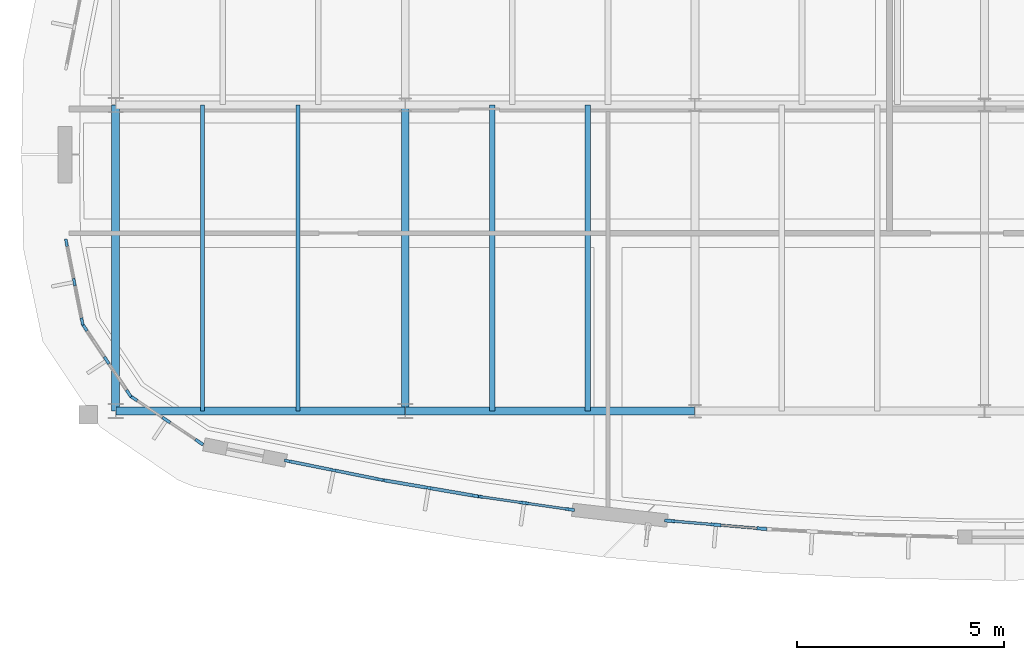
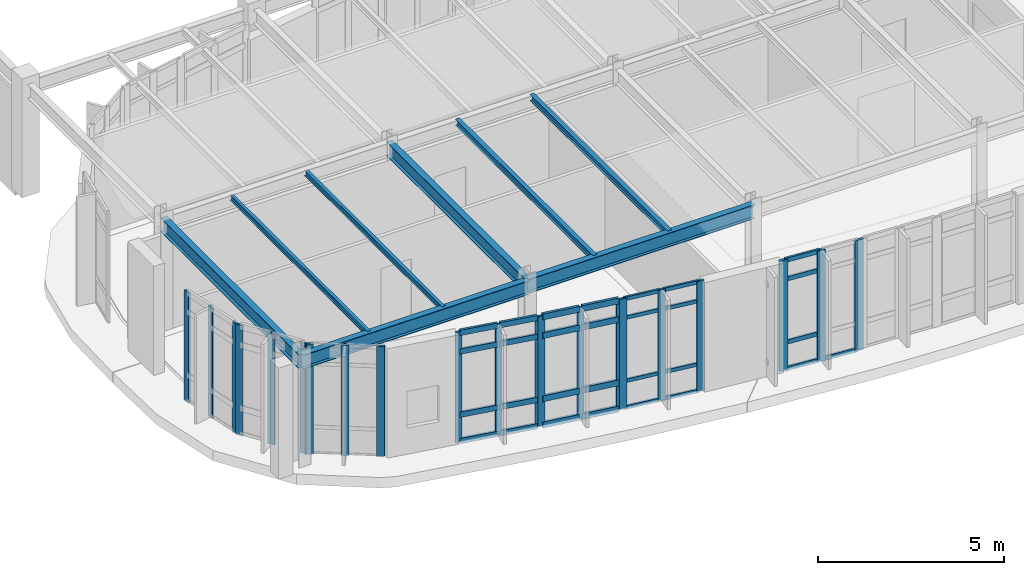
# One storey, part 34 of 111: 50 members, 8 beams, 7 elements without a shape of their own.
"""IFC4 building model written with IfcOpenShell, lengths in metres."""

import ifcopenshell
import ifcopenshell.guid

model = None  # the IFC model being written
_history = None  # IfcOwnerHistory: only IFC2X3 demands one
_inside = {}  # id of a spatial element -> (the spatial element, [elements in it])
_under = {}  # id of a project, library or spatial element -> (it, [spatial elements below it])
_declared = {}  # id of a project -> (the project, [libraries it declares])
_typed = {}  # id of a type object -> (the type object, [elements of that type])
_made_of = {}  # id of a material, layer set ... -> (it, [elements and type objects made of it])


def new_model(schema):
    """Start an empty IFC model of exactly this schema.

    Asked for "IFC4X3", IfcOpenShell would pick the latest addendum, in which some entities
    have other attributes; the version numbers below select the first issue.
    IFC2X3 requires an IfcOwnerHistory on every rooted entity: one is made here for all.
    """
    global model, _history
    if schema == "IFC4X3":
        model = ifcopenshell.file(schema_version=(4, 3, 0, 0))
    else:
        model = ifcopenshell.file(schema=schema)
    _inside.clear()
    _under.clear()
    _declared.clear()
    _typed.clear()
    _made_of.clear()
    _history = None
    if model.schema == "IFC2X3":
        org = make("IfcOrganization", Name="unknown")
        user = make(
            "IfcPersonAndOrganization",
            ThePerson=make("IfcPerson", FamilyName="unknown"),
            TheOrganization=org,
        )
        app = make(
            "IfcApplication",
            ApplicationDeveloper=org,
            Version="unknown",
            ApplicationFullName="unknown",
            ApplicationIdentifier="unknown",
        )
        _history = make(
            "IfcOwnerHistory",
            OwningUser=user,
            OwningApplication=app,
            ChangeAction="ADDED",
            CreationDate=0,
        )
    return model


def make(cls, **values):
    """One entity of the class cls with the attributes given. An attribute that is None is left unset."""
    return model.create_entity(
        cls, **{name: value for name, value in values.items() if value is not None}
    )


def rooted(cls, **values):
    """An entity with a GlobalId (a new one), such as an element, a storey or a relation."""
    return make(cls, GlobalId=ifcopenshell.guid.new(), OwnerHistory=_history, **values)


def si_unit(unit_type, name, prefix=None):
    """IfcSIUnit, for example si_unit("LENGTHUNIT", "METRE", prefix="MILLI")."""
    return make("IfcSIUnit", UnitType=unit_type, Prefix=prefix, Name=name)


def assignment(units):
    """IfcUnitAssignment: the units of a project."""
    return None if units is None else make("IfcUnitAssignment", Units=units)


def point(xyz):
    """IfcCartesianPoint."""
    return None if xyz is None else make("IfcCartesianPoint", Coordinates=xyz)


def direction(xyz):
    """IfcDirection."""
    return None if xyz is None else make("IfcDirection", DirectionRatios=xyz)


def frame(location, z_axis=None, x_axis=None):
    """IfcAxis2Placement3D, a coordinate frame: its origin and axes. An axis left out is left unset."""
    return make(
        "IfcAxis2Placement3D",
        Location=point(location),
        Axis=direction(z_axis),
        RefDirection=direction(x_axis),
    )


def frame_2d(location, x_axis=None):
    """IfcAxis2Placement2D, a coordinate frame in the plane: its origin and x axis."""
    return make(
        "IfcAxis2Placement2D", Location=point(location), RefDirection=direction(x_axis)
    )


def origin():
    """The frame at (0, 0, 0) with its axes left unset."""
    return frame((0.0, 0.0, 0.0))


def origin_2d():
    """The frame at (0, 0) in the plane with its x axis left unset."""
    return frame_2d((0.0, 0.0))


def place(relative_to, where):
    """IfcLocalPlacement: puts the frame where relative to a parent placement (None: the world)."""
    return make(
        "IfcLocalPlacement", PlacementRelTo=relative_to, RelativePlacement=where
    )


def context(
    kind, dimensions, precision=None, world=None, true_north=None, identifier=None
):
    """IfcGeometricRepresentationContext, for example the 3D "Model" context."""
    return make(
        "IfcGeometricRepresentationContext",
        ContextIdentifier=identifier,
        ContextType=kind,
        CoordinateSpaceDimension=dimensions,
        Precision=precision,
        WorldCoordinateSystem=world,
        TrueNorth=true_north,
    )


def subcontext(parent, identifier, kind, view, scale=None):
    """IfcGeometricRepresentationSubContext, for example "Body" below "Model"."""
    return make(
        "IfcGeometricRepresentationSubContext",
        ContextIdentifier=identifier,
        ContextType=kind,
        ParentContext=parent,
        TargetScale=scale,
        TargetView=view,
    )


def project(units=None, contexts=None):
    """IfcProject with its units and contexts."""
    return rooted(
        "IfcProject",
        Name="project",
        RepresentationContexts=contexts,
        UnitsInContext=assignment(units),
    )


def spatial(cls, under=None, at=None, **own):
    """A site, building, storey or space (cls), placed at a placement, below another one or the project."""
    s = rooted(cls, ObjectPlacement=at, **own)
    if under is not None:
        _under.setdefault(under.id(), (under, []))[1].append(s)
    return s


def profile(cls, at=None, kind="AREA", **sizes):
    """A parametric profile (cls). Its sizes go by their IFC names, for example OverallWidth=200.0."""
    return make(cls, ProfileType=kind, Position=at, **sizes)


def rectangle(**sizes):
    """IfcRectangleProfileDef."""
    return profile("IfcRectangleProfileDef", **sizes)


def i_section(**sizes):
    """IfcIShapeProfileDef."""
    return profile("IfcIShapeProfileDef", **sizes)


def extrude(swept, where, along, depth):
    """IfcExtrudedAreaSolid: the profile swept, set in the frame where, extruded along a direction by depth."""
    return make(
        "IfcExtrudedAreaSolid",
        SweptArea=swept,
        Position=where,
        ExtrudedDirection=direction(along),
        Depth=depth,
    )


def shape(context_of_items, identifier, shape_type, items):
    """IfcShapeRepresentation: the items that make up one representation, for example the "Body"."""
    return make(
        "IfcShapeRepresentation",
        ContextOfItems=context_of_items,
        RepresentationIdentifier=identifier,
        RepresentationType=shape_type,
        Items=items,
    )


def material(Name=None, Category=None):
    """IfcMaterial."""
    return make("IfcMaterial", Name=Name, Category=Category)


def material_profile(
    of_material, cross_section, Name=None, Category=None, Priority=None
):
    """IfcMaterialProfile: a cross section and its material."""
    return make(
        "IfcMaterialProfile",
        Name=Name,
        Material=of_material,
        Profile=cross_section,
        Priority=Priority,
        Category=Category,
    )


def profile_set(profiles, Name=None, composite=None):
    """IfcMaterialProfileSet."""
    return make(
        "IfcMaterialProfileSet",
        Name=Name,
        MaterialProfiles=profiles,
        CompositeProfile=composite,
    )


def made_of(thing, what):
    """Note that an element or type object is made of a material, layer set ...; save() writes the relation."""
    if what is not None:
        _made_of.setdefault(what.id(), (what, []))[1].append(thing)
    return thing


def type_object(cls, material=None, **own):
    """A type object (cls), such as IfcWallType, which elements share."""
    return made_of(rooted(cls, **own), material)


def element(
    cls,
    number,
    at=None,
    inside=None,
    cuts=None,
    type_object=None,
    material=None,
    context=None,
    identifier="Body",
    shape_type=None,
    held_by="IfcProductDefinitionShape",
    body=None,
    shapes=None,
    **own,
):
    """One element of the class cls, such as IfcWall. Its Tag is "e" and its number.

    at: its placement. inside: the storey or other place that contains it. cuts: it is an
    opening in that element (IfcRelVoidsElement). A single representation is given by context,
    identifier, shape_type and body (its items); several are given by shapes. held_by: the class
    of the entity that holds the representations. save() writes the other relations.
    """
    e = rooted(cls, Tag="e%d" % number, ObjectPlacement=at, **own)
    if body is not None:
        shapes = [shape(context, identifier, shape_type, body)]
    if shapes is not None:
        e.Representation = make(held_by, Representations=shapes)
    if inside is not None:
        _inside.setdefault(inside.id(), (inside, []))[1].append(e)
    if cuts is not None:
        rooted(
            "IfcRelVoidsElement", RelatingBuildingElement=cuts, RelatedOpeningElement=e
        )
    if type_object is not None:
        _typed.setdefault(type_object.id(), (type_object, []))[1].append(e)
    return made_of(e, material)


def aggregate(whole, parts):
    """IfcRelAggregates: a whole, such as a stair, and the parts it consists of."""
    return rooted("IfcRelAggregates", RelatingObject=whole, RelatedObjects=parts)


def save(model, path):
    """Write the relations noted so far, then the file.

    IfcRelAggregates (storeys below a building ...), IfcRelContainedInSpatialStructure (elements
    in a storey), IfcRelDefinesByType, IfcRelAssociatesMaterial and IfcRelDeclares: one each for
    every whole, place, type object, material and project.
    """
    for whole, parts in _under.values():
        aggregate(whole, parts)
    for where, things in _inside.values():
        rooted(
            "IfcRelContainedInSpatialStructure",
            RelatedElements=things,
            RelatingStructure=where,
        )
    for kind, things in _typed.values():
        rooted("IfcRelDefinesByType", RelatedObjects=things, RelatingType=kind)
    for what, things in _made_of.values():
        rooted("IfcRelAssociatesMaterial", RelatedObjects=things, RelatingMaterial=what)
    for by, libraries in _declared.values():
        rooted("IfcRelDeclares", RelatingContext=by, RelatedDefinitions=libraries)
    model.write(path)


model = new_model("IFC4")

# Units and contexts
model_context = context("Model", 3, precision=1e-05, world=origin(), true_north=direction((0.0, 1.0)))
body_context = subcontext(model_context, "Body", "Model", "MODEL_VIEW")
ifc_project = project(units=[si_unit("LENGTHUNIT", "METRE"), si_unit("AREAUNIT", "SQUARE_METRE"), si_unit("VOLUMEUNIT", "CUBIC_METRE"), si_unit("PLANEANGLEUNIT", "RADIAN"), si_unit("MASSUNIT", "GRAM", prefix="KILO")], contexts=[model_context])

# Site, building, storey
site_placement = place(None, origin())
site = spatial("IfcSite", under=ifc_project, at=site_placement, CompositionType="ELEMENT")
building_placement = place(site_placement, origin())
building = spatial("IfcBuilding", under=site, at=building_placement, Name="Corveleigh Park Community Centre", CompositionType="ELEMENT")
storey_placement = place(building_placement, frame((0.0, 0.0, 4.800048828125)))
storey = spatial("IfcBuildingStorey", under=building, at=storey_placement, Name="L01", CompositionType="ELEMENT", Elevation=4.800048828125)

# Beams
ifc_material_1 = material(Name="Steel S355", Category="steel")
ifc_material_profile_1 = material_profile(ifc_material_1, i_section(OverallWidth=0.101318359375, OverallDepth=0.177734375, WebThickness=0.0048828125, FlangeThickness=0.0078125, at=origin_2d()), Name="UKB 178x102x19", Category="steel")
ifc_profile_set_1 = profile_set([ifc_material_profile_1], Name="Steel S355")
beam_type_1 = type_object("IfcBeamType", Name="BM-STL-UKB178x19", PredefinedType="JOIST", material=ifc_profile_set_1)
for number, where, z_axis, x_axis, name in (
    (1, (13.300048828125, 78.0048828125, 3.531005859375), (0.0, 1.0, 0.0), (-1.0, 0.0, 0.0), "Secondary floor joist"),
    (2, (15.610107421875, 78.0048828125, 3.531005859375), (0.0, 1.0, 0.0), (-1.0, 0.0, 0.0), "Secondary floor joist"),
):
    element("IfcBeam", number, at=place(storey_placement, frame(where, z_axis=z_axis, x_axis=x_axis)), inside=storey, type_object=beam_type_1, Name=name, PredefinedType="JOIST", context=body_context, shape_type="SweptSolid", body=[
        extrude(i_section(OverallWidth=0.101318359375, OverallDepth=0.177734375, WebThickness=0.0048828125, FlangeThickness=0.0078125, at=origin_2d()), origin(), (0.0, 0.0, 1.0), 7.39013671875),
    ])
ifc_material_profile_2 = material_profile(ifc_material_1, i_section(OverallWidth=0.13330078125, OverallDepth=0.203125, WebThickness=0.005615234375, FlangeThickness=0.0078125, at=origin_2d()), Name="UKB 203x133x25", Category="steel")
ifc_profile_set_2 = profile_set([ifc_material_profile_2], Name="Steel S355")
beam_type_2 = type_object("IfcBeamType", Name="BM-STL-UKB203x25", PredefinedType="JOIST", material=ifc_profile_set_2)
for number, where, z_axis, x_axis, name in (
    (3, (20.300048828125, 78.0048828125, 3.555419921875), (0.0, 1.0, 0.0), (-1.0, 0.0, 0.0), "Secondary floor joist"),
    (4, (22.610107421875, 78.0048828125, 3.555419921875), (0.0, 1.0, 0.0), (-1.0, 0.0, 0.0), "Secondary floor joist"),
):
    element("IfcBeam", number, at=place(storey_placement, frame(where, z_axis=z_axis, x_axis=x_axis)), inside=storey, type_object=beam_type_2, Name=name, PredefinedType="JOIST", context=body_context, shape_type="SweptSolid", body=[
        extrude(i_section(OverallWidth=0.13330078125, OverallDepth=0.203125, WebThickness=0.005615234375, FlangeThickness=0.0078125, at=origin_2d()), origin(), (0.0, 0.0, 1.0), 7.39013671875),
    ])
ifc_material_profile_3 = material_profile(ifc_material_1, i_section(OverallWidth=0.1904296875, OverallDepth=0.45703125, WebThickness=0.009033203125, FlangeThickness=0.014404296875, at=origin_2d()), Name="UKB 457x191x74", Category="steel")
ifc_profile_set_3 = profile_set([ifc_material_profile_3], Name="Steel S355")
beam_type_3 = type_object("IfcBeamType", Name="BM-STL-UKB457x74", PredefinedType="BEAM", material=ifc_profile_set_3)
for number, where, z_axis, x_axis, name in (
    (5, (11.199951171875, 78.0048828125, 3.391357421875), (0.0, 1.0, 0.0), (-1.0, 0.0, 0.0), "V2 Studio Girder Y"),
    (6, (18.199951171875, 78.0048828125, 3.428466796875), (0.0, 1.0, 0.0), (-1.0, 0.0, 0.0), "V2 Studio Girder Y"),
):
    element("IfcBeam", number, at=place(storey_placement, frame(where, z_axis=z_axis, x_axis=x_axis)), inside=storey, type_object=beam_type_3, Name=name, PredefinedType="BEAM", context=body_context, shape_type="SweptSolid", body=[
        extrude(i_section(OverallWidth=0.1904296875, OverallDepth=0.45703125, WebThickness=0.009033203125, FlangeThickness=0.014404296875, at=origin_2d()), origin(), (0.0, 0.0, 1.0), 7.39013671875),
    ])
ifc_material_profile_4 = material_profile(ifc_material_1, i_section(OverallWidth=0.19140625, OverallDepth=0.4599609375, WebThickness=0.010009765625, FlangeThickness=0.01611328125, at=origin_2d()), Name="UKB 457x191x82", Category="steel")
ifc_profile_set_4 = profile_set([ifc_material_profile_4], Name="Steel S355")
beam_type_4 = type_object("IfcBeamType", Name="BM-STL-UKB457x82", PredefinedType="BEAM", material=ifc_profile_set_4)
for number, where, z_axis, x_axis, name in (
    (7, (11.205078125, 78.0, 3.389892578125), (1.0, 0.0, 0.0), (0.0, 1.0, 0.0), "V2 Studio Girder X"),
    (8, (18.205078125, 78.0, 3.427001953125), (1.0, 0.0, 0.0), (0.0, 1.0, 0.0), "V2 Studio Girder X"),
):
    element("IfcBeam", number, at=place(storey_placement, frame(where, z_axis=z_axis, x_axis=x_axis)), inside=storey, type_object=beam_type_4, Name=name, PredefinedType="BEAM", context=body_context, shape_type="SweptSolid", body=[
        extrude(i_section(OverallWidth=0.19140625, OverallDepth=0.4599609375, WebThickness=0.010009765625, FlangeThickness=0.01611328125, at=origin_2d()), origin(), (0.0, 0.0, 1.0), 6.989990234375),
    ])

# Curtain wall, members
ifc_material_2 = material(Name="Anodised aluminium 6063-T6", Category="aluminium")
curtain_wall_type = type_object("IfcCurtainWallType", Name="CW-SYS-V2-HALL", PredefinedType="NOTDEFINED", material=ifc_material_2)
curtain_wall_1_placement = place(storey_placement, origin())
curtain_wall_1 = element("IfcCurtainWall", 9, at=curtain_wall_1_placement, inside=storey, type_object=curtain_wall_type, Name="V2 L01 Curtain Wall 194", PredefinedType="NOTDEFINED")
ifc_material_profile_5 = material_profile(ifc_material_2, rectangle(XDim=0.06494140625, YDim=0.179931640625, at=origin_2d()), Name="ALU-M65x180", Category="aluminium")
ifc_profile_set_5 = profile_set([ifc_material_profile_5], Name="Anodised aluminium 6063-T6")
member_type_1 = type_object("IfcMemberType", Name="CWM-65x180", PredefinedType="MULLION", material=ifc_profile_set_5)
member_1_placement = place(storey_placement, frame((17.5751953125, 76.348388671875, 0.0), z_axis=(0.0, 0.0, 1.0), x_axis=(-0.197111378544, -0.980381101638, 0.0)))
member_1 = element("IfcMember", 10, at=member_1_placement, type_object=member_type_1, Name="CW04 mullion 1", PredefinedType="MULLION", context=body_context, shape_type="SweptSolid", body=[
    extrude(rectangle(XDim=0.06494140625, YDim=0.179931640625, at=origin_2d()), origin(), (0.0, 0.0, 1.0), 3.619873046875),
])
member_2_placement = place(storey_placement, frame((16.470458984375, 76.570556640625, 0.0), z_axis=(0.0, 0.0, 1.0), x_axis=(-0.197111378544, -0.980381101638, 0.0)))
member_2 = element("IfcMember", 11, at=member_2_placement, type_object=member_type_1, Name="CW04 mullion 2", PredefinedType="MULLION", context=body_context, shape_type="SweptSolid", body=[
    extrude(rectangle(XDim=0.06494140625, YDim=0.179931640625, at=origin_2d()), origin(), (0.0, 0.0, 1.0), 3.619873046875),
])
member_3_placement = place(storey_placement, frame((15.365966796875, 76.79248046875, 0.0), z_axis=(0.0, 0.0, 1.0), x_axis=(-0.197111378544, -0.980381101638, 0.0)))
member_3 = element("IfcMember", 12, at=member_3_placement, type_object=member_type_1, Name="CW04 mullion 3", PredefinedType="MULLION", context=body_context, shape_type="SweptSolid", body=[
    extrude(rectangle(XDim=0.06494140625, YDim=0.179931640625, at=origin_2d()), origin(), (0.0, 0.0, 1.0), 3.619873046875),
])

curtain_wall_2_placement = place(storey_placement, origin())
curtain_wall_2 = element("IfcCurtainWall", 13, at=curtain_wall_2_placement, inside=storey, type_object=curtain_wall_type, Name="V2 L01 Curtain Wall 224", PredefinedType="NOTDEFINED")
member_4_placement = place(storey_placement, frame((10.390625, 80.164794921875, 0.0), z_axis=(0.0, 0.0, 1.0), x_axis=(-0.980790638289, -0.195063384171, 0.0)))
member_4 = element("IfcMember", 14, at=member_4_placement, type_object=member_type_1, Name="CW04 mullion 1", PredefinedType="MULLION", context=body_context, shape_type="SweptSolid", body=[
    extrude(rectangle(XDim=0.06494140625, YDim=0.179931640625, at=origin_2d()), origin(), (0.0, 0.0, 1.0), 3.619873046875),
])
member_5_placement = place(storey_placement, frame((10.200927734375, 81.118408203125, 0.0), z_axis=(0.0, 0.0, 1.0), x_axis=(-0.980790638289, -0.195063384171, 0.0)))
member_5 = element("IfcMember", 15, at=member_5_placement, type_object=member_type_1, Name="CW04 mullion 2", PredefinedType="MULLION", context=body_context, shape_type="SweptSolid", body=[
    extrude(rectangle(XDim=0.06494140625, YDim=0.179931640625, at=origin_2d()), origin(), (0.0, 0.0, 1.0), 3.619873046875),
])
member_6_placement = place(storey_placement, frame((10.01123046875, 82.072021484375, 0.0), z_axis=(0.0, 0.0, 1.0), x_axis=(-0.980790638289, -0.195063384171, 0.0)))
member_6 = element("IfcMember", 16, at=member_6_placement, type_object=member_type_1, Name="CW04 mullion 3", PredefinedType="MULLION", context=body_context, shape_type="SweptSolid", body=[
    extrude(rectangle(XDim=0.06494140625, YDim=0.179931640625, at=origin_2d()), origin(), (0.0, 0.0, 1.0), 3.619873046875),
])
aggregate(curtain_wall_2, [member_4, member_5, member_6])

curtain_wall_3_placement = place(storey_placement, origin())
curtain_wall_3 = element("IfcCurtainWall", 17, at=curtain_wall_3_placement, inside=storey, type_object=curtain_wall_type, Name="V2 L01 Curtain Wall 195", PredefinedType="NOTDEFINED")
ifc_material_profile_6 = material_profile(ifc_material_2, rectangle(XDim=0.070068359375, YDim=0.199951171875, at=origin_2d()), Name="ALU-M70x200", Category="aluminium")
ifc_profile_set_6 = profile_set([ifc_material_profile_6], Name="Anodised aluminium 6063-T6")
member_type_2 = type_object("IfcMemberType", Name="CWM-70x200", PredefinedType="MULLION", material=ifc_profile_set_6)
member_7_placement = place(storey_placement, frame((19.87255859375, 75.953857421875, 0.0), z_axis=(0.0, 0.0, 1.0), x_axis=(-0.16846025177, -0.985708447551, 0.0)))
member_7 = element("IfcMember", 18, at=member_7_placement, type_object=member_type_2, Name="CW04 mullion 1", PredefinedType="MULLION", context=body_context, shape_type="SweptSolid", body=[
    extrude(rectangle(XDim=0.070068359375, YDim=0.199951171875, at=origin_2d()), origin(), (0.0, 0.0, 1.0), 3.619873046875),
])
member_8_placement = place(storey_placement, frame((18.76611328125, 76.14306640625, 0.0), z_axis=(0.0, 0.0, 1.0), x_axis=(-0.16846025177, -0.985708447551, 0.0)))
member_8 = element("IfcMember", 19, at=member_8_placement, type_object=member_type_2, Name="CW04 mullion 2", PredefinedType="MULLION", context=body_context, shape_type="SweptSolid", body=[
    extrude(rectangle(XDim=0.070068359375, YDim=0.199951171875, at=origin_2d()), origin(), (0.0, 0.0, 1.0), 3.619873046875),
])
member_9_placement = place(storey_placement, frame((17.659423828125, 76.33203125, 0.0), z_axis=(0.0, 0.0, 1.0), x_axis=(-0.16846025177, -0.985708447551, 0.0)))
member_9 = element("IfcMember", 20, at=member_9_placement, type_object=member_type_2, Name="CW04 mullion 3", PredefinedType="MULLION", context=body_context, shape_type="SweptSolid", body=[
    extrude(rectangle(XDim=0.070068359375, YDim=0.199951171875, at=origin_2d()), origin(), (0.0, 0.0, 1.0), 3.619873046875),
])

curtain_wall_4_placement = place(storey_placement, origin())
curtain_wall_4 = element("IfcCurtainWall", 21, at=curtain_wall_4_placement, inside=storey, type_object=curtain_wall_type, Name="V2 L01 Curtain Wall 225", PredefinedType="NOTDEFINED")
member_10_placement = place(storey_placement, frame((11.5166015625, 78.427001953125, 0.0), z_axis=(0.0, 0.0, 1.0), x_axis=(-0.831508500991, -0.555512027575, 0.0)))
member_10 = element("IfcMember", 22, at=member_10_placement, type_object=member_type_2, Name="CW04 mullion 1", PredefinedType="MULLION", context=body_context, shape_type="SweptSolid", body=[
    extrude(rectangle(XDim=0.070068359375, YDim=0.199951171875, at=origin_2d()), origin(), (0.0, 0.0, 1.0), 3.619873046875),
])
member_11_placement = place(storey_placement, frame((10.9833984375, 79.22509765625, 0.0), z_axis=(0.0, 0.0, 1.0), x_axis=(-0.831508500991, -0.555512027575, 0.0)))
member_11 = element("IfcMember", 23, at=member_11_placement, type_object=member_type_2, Name="CW04 mullion 2", PredefinedType="MULLION", context=body_context, shape_type="SweptSolid", body=[
    extrude(rectangle(XDim=0.070068359375, YDim=0.199951171875, at=origin_2d()), origin(), (0.0, 0.0, 1.0), 3.619873046875),
])
member_12_placement = place(storey_placement, frame((10.450439453125, 80.02294921875, 0.0), z_axis=(0.0, 0.0, 1.0), x_axis=(-0.831508500991, -0.555512027575, 0.0)))
member_12 = element("IfcMember", 24, at=member_12_placement, type_object=member_type_2, Name="CW04 mullion 3", PredefinedType="MULLION", context=body_context, shape_type="SweptSolid", body=[
    extrude(rectangle(XDim=0.070068359375, YDim=0.199951171875, at=origin_2d()), origin(), (0.0, 0.0, 1.0), 3.619873046875),
])
aggregate(curtain_wall_4, [member_10, member_11, member_12])

curtain_wall_5_placement = place(storey_placement, origin())
curtain_wall_5 = element("IfcCurtainWall", 25, at=curtain_wall_5_placement, inside=storey, type_object=curtain_wall_type, Name="V2 L01 Curtain Wall 196", PredefinedType="NOTDEFINED")
ifc_material_profile_7 = material_profile(ifc_material_2, rectangle(XDim=0.074951171875, YDim=0.219970703125, at=origin_2d()), Name="ALU-M75x220", Category="aluminium")
ifc_profile_set_7 = profile_set([ifc_material_profile_7], Name="Anodised aluminium 6063-T6")
member_type_3 = type_object("IfcMemberType", Name="CWM-75x220", PredefinedType="MULLION", material=ifc_profile_set_7)
member_13_placement = place(storey_placement, frame((22.179931640625, 75.622314453125, 0.0), z_axis=(0.0, 0.0, 1.0), x_axis=(-0.141663216042, -0.989914912111, 0.0)))
member_13 = element("IfcMember", 26, at=member_13_placement, type_object=member_type_3, Name="CW04 mullion 1", PredefinedType="MULLION", context=body_context, shape_type="SweptSolid", body=[
    extrude(rectangle(XDim=0.074951171875, YDim=0.219970703125, at=origin_2d()), origin(), (0.0, 0.0, 1.0), 3.619873046875),
])
member_14_placement = place(storey_placement, frame((21.071044921875, 75.781005859375, 0.0), z_axis=(0.0, 0.0, 1.0), x_axis=(-0.141663216042, -0.989914912111, 0.0)))
member_14 = element("IfcMember", 27, at=member_14_placement, type_object=member_type_3, Name="CW04 mullion 2", PredefinedType="MULLION", context=body_context, shape_type="SweptSolid", body=[
    extrude(rectangle(XDim=0.074951171875, YDim=0.219970703125, at=origin_2d()), origin(), (0.0, 0.0, 1.0), 3.619873046875),
])
member_15_placement = place(storey_placement, frame((19.962158203125, 75.939697265625, 0.0), z_axis=(0.0, 0.0, 1.0), x_axis=(-0.141663216042, -0.989914912111, 0.0)))
member_15 = element("IfcMember", 28, at=member_15_placement, type_object=member_type_3, Name="CW04 mullion 3", PredefinedType="MULLION", context=body_context, shape_type="SweptSolid", body=[
    extrude(rectangle(XDim=0.074951171875, YDim=0.219970703125, at=origin_2d()), origin(), (0.0, 0.0, 1.0), 3.619873046875),
])

curtain_wall_6_placement = place(storey_placement, origin())
curtain_wall_6 = element("IfcCurtainWall", 29, at=curtain_wall_6_placement, inside=storey, type_object=curtain_wall_type, Name="V2 L01 Curtain Wall 226", PredefinedType="NOTDEFINED")
member_16_placement = place(storey_placement, frame((13.220703125, 77.251953125, 0.0), z_axis=(0.0, 0.0, 1.0), x_axis=(-0.555512027575, -0.831508500991, 0.0)))
member_16 = element("IfcMember", 30, at=member_16_placement, type_object=member_type_3, Name="CW04 mullion 1", PredefinedType="MULLION", context=body_context, shape_type="SweptSolid", body=[
    extrude(rectangle(XDim=0.074951171875, YDim=0.219970703125, at=origin_2d()), origin(), (0.0, 0.0, 1.0), 3.619873046875),
])
member_17_placement = place(storey_placement, frame((12.425048828125, 77.783447265625, 0.0), z_axis=(0.0, 0.0, 1.0), x_axis=(-0.555512027575, -0.831508500991, 0.0)))
member_17 = element("IfcMember", 31, at=member_17_placement, type_object=member_type_3, Name="CW04 mullion 2", PredefinedType="MULLION", context=body_context, shape_type="SweptSolid", body=[
    extrude(rectangle(XDim=0.074951171875, YDim=0.219970703125, at=origin_2d()), origin(), (0.0, 0.0, 1.0), 3.619873046875),
])
member_18_placement = place(storey_placement, frame((11.629150390625, 78.315185546875, 0.0), z_axis=(0.0, 0.0, 1.0), x_axis=(-0.555512027575, -0.831508500991, 0.0)))
member_18 = element("IfcMember", 32, at=member_18_placement, type_object=member_type_3, Name="CW04 mullion 3", PredefinedType="MULLION", context=body_context, shape_type="SweptSolid", body=[
    extrude(rectangle(XDim=0.074951171875, YDim=0.219970703125, at=origin_2d()), origin(), (0.0, 0.0, 1.0), 3.619873046875),
])
aggregate(curtain_wall_6, [member_16, member_17, member_18])

curtain_wall_7_placement = place(storey_placement, origin())
curtain_wall_7 = element("IfcCurtainWall", 33, at=curtain_wall_7_placement, inside=storey, type_object=curtain_wall_type, Name="V2 L01 Curtain Wall 197", PredefinedType="NOTDEFINED")
ifc_material_profile_8 = material_profile(ifc_material_2, rectangle(XDim=0.080078125, YDim=0.25, at=origin_2d()), Name="ALU-M80x250", Category="aluminium")
ifc_profile_set_8 = profile_set([ifc_material_profile_8], Name="Anodised aluminium 6063-T6")
member_type_4 = type_object("IfcMemberType", Name="CWM-80x250", PredefinedType="MULLION", material=ifc_profile_set_8)
member_19_placement = place(storey_placement, frame((26.821044921875, 75.158447265625, 0.0), z_axis=(0.0, 0.0, 1.0), x_axis=(-0.084653854486, -0.996410419918, 0.0)))
member_19 = element("IfcMember", 34, at=member_19_placement, type_object=member_type_4, Name="CW04 mullion 1", PredefinedType="MULLION", context=body_context, shape_type="SweptSolid", body=[
    extrude(rectangle(XDim=0.080078125, YDim=0.25, at=origin_2d()), origin(), (0.0, 0.0, 1.0), 3.619873046875),
])
member_20_placement = place(storey_placement, frame((25.70751953125, 75.2529296875, 0.0), z_axis=(0.0, 0.0, 1.0), x_axis=(-0.084653854486, -0.996410419918, 0.0)))
member_20 = element("IfcMember", 35, at=member_20_placement, type_object=member_type_4, Name="CW04 mullion 2", PredefinedType="MULLION", context=body_context, shape_type="SweptSolid", body=[
    extrude(rectangle(XDim=0.080078125, YDim=0.25, at=origin_2d()), origin(), (0.0, 0.0, 1.0), 3.619873046875),
])
member_21_placement = place(storey_placement, frame((24.59375, 75.34765625, 0.0), z_axis=(0.0, 0.0, 1.0), x_axis=(-0.084653854486, -0.996410419918, 0.0)))
member_21 = element("IfcMember", 36, at=member_21_placement, type_object=member_type_4, Name="CW04 mullion 3", PredefinedType="MULLION", context=body_context, shape_type="SweptSolid", body=[
    extrude(rectangle(XDim=0.080078125, YDim=0.25, at=origin_2d()), origin(), (0.0, 0.0, 1.0), 3.619873046875),
])

# Member
ifc_material_profile_9 = material_profile(ifc_material_2, rectangle(XDim=0.06005859375, YDim=0.1201171875, at=origin_2d()), Name="ALU-T60x120", Category="aluminium")
ifc_profile_set_9 = profile_set([ifc_material_profile_9], Name="Anodised aluminium 6063-T6")
member_type_5 = type_object("IfcMemberType", Name="CWT-60x120", PredefinedType="USERDEFINED", material=ifc_profile_set_9)
member_22_placement = place(storey_placement, frame((22.142822265625, 75.627685546875, 0.030029296875), z_axis=(-0.989930798265, 0.141552162281, 0.0), x_axis=(-0.141552162281, -0.989930798265, 0.0)))
member_22 = element("IfcMember", 37, at=member_22_placement, type_object=member_type_5, Name="CW04 transom 1.1", ObjectType="TRANSOM", PredefinedType="USERDEFINED", context=body_context, shape_type="SweptSolid", body=[
    extrude(rectangle(XDim=0.06005859375, YDim=0.1201171875, at=origin_2d()), origin(), (0.0, 0.0, 1.0), 1.045166015625),
])

member_23_placement = place(storey_placement, frame((22.142822265625, 75.627685546875, 0.89990234375), z_axis=(-0.989930798265, 0.141552162281, 0.0), x_axis=(-0.141552162281, -0.989930798265, 0.0)))
member_23 = element("IfcMember", 38, at=member_23_placement, type_object=member_type_5, Name="CW04 transom 1.2", ObjectType="TRANSOM", PredefinedType="USERDEFINED", context=body_context, shape_type="SweptSolid", body=[
    extrude(rectangle(XDim=0.06005859375, YDim=0.1201171875, at=origin_2d()), origin(), (0.0, 0.0, 1.0), 1.045166015625),
])

member_24_placement = place(storey_placement, frame((22.142822265625, 75.627685546875, 2.969970703125), z_axis=(-0.989930798265, 0.141552162281, 0.0), x_axis=(-0.141552162281, -0.989930798265, 0.0)))
member_24 = element("IfcMember", 39, at=member_24_placement, type_object=member_type_5, Name="CW04 transom 1.3", ObjectType="TRANSOM", PredefinedType="USERDEFINED", context=body_context, shape_type="SweptSolid", body=[
    extrude(rectangle(XDim=0.06005859375, YDim=0.1201171875, at=origin_2d()), origin(), (0.0, 0.0, 1.0), 1.045166015625),
])

member_25_placement = place(storey_placement, frame((22.142822265625, 75.627685546875, 3.58984375), z_axis=(-0.989930798265, 0.141552162281, 0.0), x_axis=(-0.141552162281, -0.989930798265, 0.0)))
member_25 = element("IfcMember", 40, at=member_25_placement, type_object=member_type_5, Name="CW04 transom 1.4", ObjectType="TRANSOM", PredefinedType="USERDEFINED", context=body_context, shape_type="SweptSolid", body=[
    extrude(rectangle(XDim=0.06005859375, YDim=0.1201171875, at=origin_2d()), origin(), (0.0, 0.0, 1.0), 1.045166015625),
])

member_26_placement = place(storey_placement, frame((21.033935546875, 75.786376953125, 0.030029296875), z_axis=(-0.989930798265, 0.141552162281, 0.0), x_axis=(-0.141552162281, -0.989930798265, 0.0)))
member_26 = element("IfcMember", 41, at=member_26_placement, type_object=member_type_5, Name="CW04 transom 2.1", ObjectType="TRANSOM", PredefinedType="USERDEFINED", context=body_context, shape_type="SweptSolid", body=[
    extrude(rectangle(XDim=0.06005859375, YDim=0.1201171875, at=origin_2d()), origin(), (0.0, 0.0, 1.0), 1.045166015625),
])

member_27_placement = place(storey_placement, frame((21.033935546875, 75.786376953125, 0.89990234375), z_axis=(-0.989930798265, 0.141552162281, 0.0), x_axis=(-0.141552162281, -0.989930798265, 0.0)))
member_27 = element("IfcMember", 42, at=member_27_placement, type_object=member_type_5, Name="CW04 transom 2.2", ObjectType="TRANSOM", PredefinedType="USERDEFINED", context=body_context, shape_type="SweptSolid", body=[
    extrude(rectangle(XDim=0.06005859375, YDim=0.1201171875, at=origin_2d()), origin(), (0.0, 0.0, 1.0), 1.045166015625),
])

member_28_placement = place(storey_placement, frame((21.033935546875, 75.786376953125, 2.969970703125), z_axis=(-0.989930798265, 0.141552162281, 0.0), x_axis=(-0.141552162281, -0.989930798265, 0.0)))
member_28 = element("IfcMember", 43, at=member_28_placement, type_object=member_type_5, Name="CW04 transom 2.3", ObjectType="TRANSOM", PredefinedType="USERDEFINED", context=body_context, shape_type="SweptSolid", body=[
    extrude(rectangle(XDim=0.06005859375, YDim=0.1201171875, at=origin_2d()), origin(), (0.0, 0.0, 1.0), 1.045166015625),
])

member_29_placement = place(storey_placement, frame((21.033935546875, 75.786376953125, 3.58984375), z_axis=(-0.989930798265, 0.141552162281, 0.0), x_axis=(-0.141552162281, -0.989930798265, 0.0)))
member_29 = element("IfcMember", 44, at=member_29_placement, type_object=member_type_5, Name="CW04 transom 2.4", ObjectType="TRANSOM", PredefinedType="USERDEFINED", context=body_context, shape_type="SweptSolid", body=[
    extrude(rectangle(XDim=0.06005859375, YDim=0.1201171875, at=origin_2d()), origin(), (0.0, 0.0, 1.0), 1.045166015625),
])

aggregate(curtain_wall_5, [member_13, member_14, member_15, member_22, member_23, member_24, member_25, member_26, member_27, member_28, member_29])

ifc_material_profile_10 = material_profile(ifc_material_2, rectangle(XDim=0.06494140625, YDim=0.139892578125, at=origin_2d()), Name="ALU-T65x140", Category="aluminium")
ifc_profile_set_10 = profile_set([ifc_material_profile_10], Name="Anodised aluminium 6063-T6")
member_type_6 = type_object("IfcMemberType", Name="CWT-65x140", PredefinedType="USERDEFINED", material=ifc_profile_set_10)
member_30_placement = place(storey_placement, frame((26.78125, 75.161865234375, 0.032470703125), z_axis=(-0.996426291348, 0.084466833198, 0.0), x_axis=(-0.084466833198, -0.996426291348, 0.0)))
member_30 = element("IfcMember", 45, at=member_30_placement, type_object=member_type_6, Name="CW04 transom 1.1", ObjectType="TRANSOM", PredefinedType="USERDEFINED", context=body_context, shape_type="SweptSolid", body=[
    extrude(rectangle(XDim=0.06494140625, YDim=0.139892578125, at=origin_2d()), origin(), (0.0, 0.0, 1.0), 1.03759765625),
])

member_31_placement = place(storey_placement, frame((25.667724609375, 75.25634765625, 0.032470703125), z_axis=(-0.996406461717, 0.08470043122, 0.0), x_axis=(-0.08470043122, -0.996406461717, 0.0)))
member_31 = element("IfcMember", 46, at=member_31_placement, type_object=member_type_6, Name="CW04 transom 2.1", ObjectType="TRANSOM", PredefinedType="USERDEFINED", context=body_context, shape_type="SweptSolid", body=[
    extrude(rectangle(XDim=0.06494140625, YDim=0.139892578125, at=origin_2d()), origin(), (0.0, 0.0, 1.0), 1.03759765625),
])

member_32_placement = place(storey_placement, frame((25.667724609375, 75.25634765625, 0.89990234375), z_axis=(-0.996406461717, 0.08470043122, 0.0), x_axis=(-0.08470043122, -0.996406461717, 0.0)))
member_32 = element("IfcMember", 47, at=member_32_placement, type_object=member_type_6, Name="CW04 transom 2.2", ObjectType="TRANSOM", PredefinedType="USERDEFINED", context=body_context, shape_type="SweptSolid", body=[
    extrude(rectangle(XDim=0.06494140625, YDim=0.139892578125, at=origin_2d()), origin(), (0.0, 0.0, 1.0), 1.03759765625),
])

member_33_placement = place(storey_placement, frame((25.667724609375, 75.25634765625, 2.969970703125), z_axis=(-0.996406461717, 0.08470043122, 0.0), x_axis=(-0.08470043122, -0.996406461717, 0.0)))
member_33 = element("IfcMember", 48, at=member_33_placement, type_object=member_type_6, Name="CW04 transom 2.3", ObjectType="TRANSOM", PredefinedType="USERDEFINED", context=body_context, shape_type="SweptSolid", body=[
    extrude(rectangle(XDim=0.06494140625, YDim=0.139892578125, at=origin_2d()), origin(), (0.0, 0.0, 1.0), 1.03759765625),
])

member_34_placement = place(storey_placement, frame((25.667724609375, 75.25634765625, 3.58740234375), z_axis=(-0.996406461717, 0.08470043122, 0.0), x_axis=(-0.08470043122, -0.996406461717, 0.0)))
member_34 = element("IfcMember", 49, at=member_34_placement, type_object=member_type_6, Name="CW04 transom 2.4", ObjectType="TRANSOM", PredefinedType="USERDEFINED", context=body_context, shape_type="SweptSolid", body=[
    extrude(rectangle(XDim=0.06494140625, YDim=0.139892578125, at=origin_2d()), origin(), (0.0, 0.0, 1.0), 1.03759765625),
])

aggregate(curtain_wall_7, [member_19, member_20, member_21, member_30, member_31, member_32, member_33, member_34])

ifc_material_profile_11 = material_profile(ifc_material_2, rectangle(XDim=0.074951171875, YDim=0.175048828125, at=origin_2d()), Name="ALU-T75x175", Category="aluminium")
ifc_profile_set_11 = profile_set([ifc_material_profile_11], Name="Anodised aluminium 6063-T6")
member_type_7 = type_object("IfcMemberType", Name="CWT-75x175", PredefinedType="USERDEFINED", material=ifc_profile_set_11)
member_35_placement = place(storey_placement, frame((17.543212890625, 76.354736328125, 0.037353515625), z_axis=(-0.980341138804, 0.197310039196, 0.0), x_axis=(-0.197310039196, -0.980341138804, 0.0)))
member_35 = element("IfcMember", 50, at=member_35_placement, type_object=member_type_7, Name="CW04 transom 1.1", ObjectType="TRANSOM", PredefinedType="USERDEFINED", context=body_context, shape_type="SweptSolid", body=[
    extrude(rectangle(XDim=0.074951171875, YDim=0.175048828125, at=origin_2d()), origin(), (0.0, 0.0, 1.0), 1.0615234375),
])

member_36_placement = place(storey_placement, frame((17.543212890625, 76.354736328125, 0.89990234375), z_axis=(-0.980341138804, 0.197310039196, 0.0), x_axis=(-0.197310039196, -0.980341138804, 0.0)))
member_36 = element("IfcMember", 51, at=member_36_placement, type_object=member_type_7, Name="CW04 transom 1.2", ObjectType="TRANSOM", PredefinedType="USERDEFINED", context=body_context, shape_type="SweptSolid", body=[
    extrude(rectangle(XDim=0.074951171875, YDim=0.175048828125, at=origin_2d()), origin(), (0.0, 0.0, 1.0), 1.0615234375),
])

member_37_placement = place(storey_placement, frame((17.543212890625, 76.354736328125, 2.969970703125), z_axis=(-0.980341138804, 0.197310039196, 0.0), x_axis=(-0.197310039196, -0.980341138804, 0.0)))
member_37 = element("IfcMember", 52, at=member_37_placement, type_object=member_type_7, Name="CW04 transom 1.3", ObjectType="TRANSOM", PredefinedType="USERDEFINED", context=body_context, shape_type="SweptSolid", body=[
    extrude(rectangle(XDim=0.074951171875, YDim=0.175048828125, at=origin_2d()), origin(), (0.0, 0.0, 1.0), 1.0615234375),
])

member_38_placement = place(storey_placement, frame((17.543212890625, 76.354736328125, 3.58251953125), z_axis=(-0.980341138804, 0.197310039196, 0.0), x_axis=(-0.197310039196, -0.980341138804, 0.0)))
member_38 = element("IfcMember", 53, at=member_38_placement, type_object=member_type_7, Name="CW04 transom 1.4", ObjectType="TRANSOM", PredefinedType="USERDEFINED", context=body_context, shape_type="SweptSolid", body=[
    extrude(rectangle(XDim=0.074951171875, YDim=0.175048828125, at=origin_2d()), origin(), (0.0, 0.0, 1.0), 1.0615234375),
])

member_39_placement = place(storey_placement, frame((16.438720703125, 76.576904296875, 0.037353515625), z_axis=(-0.980394528483, 0.19704458511, 0.0), x_axis=(-0.19704458511, -0.980394528483, 0.0)))
member_39 = element("IfcMember", 54, at=member_39_placement, type_object=member_type_7, Name="CW04 transom 2.1", ObjectType="TRANSOM", PredefinedType="USERDEFINED", context=body_context, shape_type="SweptSolid", body=[
    extrude(rectangle(XDim=0.074951171875, YDim=0.175048828125, at=origin_2d()), origin(), (0.0, 0.0, 1.0), 1.061767578125),
])

member_40_placement = place(storey_placement, frame((16.438720703125, 76.576904296875, 0.89990234375), z_axis=(-0.980394528483, 0.19704458511, 0.0), x_axis=(-0.19704458511, -0.980394528483, 0.0)))
member_40 = element("IfcMember", 55, at=member_40_placement, type_object=member_type_7, Name="CW04 transom 2.2", ObjectType="TRANSOM", PredefinedType="USERDEFINED", context=body_context, shape_type="SweptSolid", body=[
    extrude(rectangle(XDim=0.074951171875, YDim=0.175048828125, at=origin_2d()), origin(), (0.0, 0.0, 1.0), 1.061767578125),
])

member_41_placement = place(storey_placement, frame((16.438720703125, 76.576904296875, 2.969970703125), z_axis=(-0.980394528483, 0.19704458511, 0.0), x_axis=(-0.19704458511, -0.980394528483, 0.0)))
member_41 = element("IfcMember", 56, at=member_41_placement, type_object=member_type_7, Name="CW04 transom 2.3", ObjectType="TRANSOM", PredefinedType="USERDEFINED", context=body_context, shape_type="SweptSolid", body=[
    extrude(rectangle(XDim=0.074951171875, YDim=0.175048828125, at=origin_2d()), origin(), (0.0, 0.0, 1.0), 1.061767578125),
])

member_42_placement = place(storey_placement, frame((16.438720703125, 76.576904296875, 3.58251953125), z_axis=(-0.980394528483, 0.19704458511, 0.0), x_axis=(-0.19704458511, -0.980394528483, 0.0)))
member_42 = element("IfcMember", 57, at=member_42_placement, type_object=member_type_7, Name="CW04 transom 2.4", ObjectType="TRANSOM", PredefinedType="USERDEFINED", context=body_context, shape_type="SweptSolid", body=[
    extrude(rectangle(XDim=0.074951171875, YDim=0.175048828125, at=origin_2d()), origin(), (0.0, 0.0, 1.0), 1.061767578125),
])

aggregate(curtain_wall_1, [member_1, member_2, member_3, member_35, member_36, member_37, member_38, member_39, member_40, member_41, member_42])

ifc_material_profile_12 = material_profile(ifc_material_2, rectangle(XDim=0.080078125, YDim=0.195068359375, at=origin_2d()), Name="ALU-T80x195", Category="aluminium")
ifc_profile_set_12 = profile_set([ifc_material_profile_12], Name="Anodised aluminium 6063-T6")
member_type_8 = type_object("IfcMemberType", Name="CWT-80x195", PredefinedType="USERDEFINED", material=ifc_profile_set_12)
member_43_placement = place(storey_placement, frame((19.837890625, 75.959716796875, 0.0400390625), z_axis=(-0.98567628969, 0.16864830845, 0.0), x_axis=(-0.16864830845, -0.98567628969, 0.0)))
member_43 = element("IfcMember", 58, at=member_43_placement, type_object=member_type_8, Name="CW04 transom 1.1", ObjectType="TRANSOM", PredefinedType="USERDEFINED", context=body_context, shape_type="SweptSolid", body=[
    extrude(rectangle(XDim=0.080078125, YDim=0.195068359375, at=origin_2d()), origin(), (0.0, 0.0, 1.0), 1.052490234375),
])

member_44_placement = place(storey_placement, frame((19.837890625, 75.959716796875, 0.89990234375), z_axis=(-0.98567628969, 0.16864830845, 0.0), x_axis=(-0.16864830845, -0.98567628969, 0.0)))
member_44 = element("IfcMember", 59, at=member_44_placement, type_object=member_type_8, Name="CW04 transom 1.2", ObjectType="TRANSOM", PredefinedType="USERDEFINED", context=body_context, shape_type="SweptSolid", body=[
    extrude(rectangle(XDim=0.080078125, YDim=0.195068359375, at=origin_2d()), origin(), (0.0, 0.0, 1.0), 1.052490234375),
])

member_45_placement = place(storey_placement, frame((19.837890625, 75.959716796875, 2.969970703125), z_axis=(-0.98567628969, 0.16864830845, 0.0), x_axis=(-0.16864830845, -0.98567628969, 0.0)))
member_45 = element("IfcMember", 60, at=member_45_placement, type_object=member_type_8, Name="CW04 transom 1.3", ObjectType="TRANSOM", PredefinedType="USERDEFINED", context=body_context, shape_type="SweptSolid", body=[
    extrude(rectangle(XDim=0.080078125, YDim=0.195068359375, at=origin_2d()), origin(), (0.0, 0.0, 1.0), 1.052490234375),
])

member_46_placement = place(storey_placement, frame((19.837890625, 75.959716796875, 3.579833984375), z_axis=(-0.98567628969, 0.16864830845, 0.0), x_axis=(-0.16864830845, -0.98567628969, 0.0)))
member_46 = element("IfcMember", 61, at=member_46_placement, type_object=member_type_8, Name="CW04 transom 1.4", ObjectType="TRANSOM", PredefinedType="USERDEFINED", context=body_context, shape_type="SweptSolid", body=[
    extrude(rectangle(XDim=0.080078125, YDim=0.195068359375, at=origin_2d()), origin(), (0.0, 0.0, 1.0), 1.052490234375),
])

member_47_placement = place(storey_placement, frame((18.7314453125, 76.14892578125, 0.0400390625), z_axis=(-0.985714827813, 0.168422914802, 0.0), x_axis=(-0.168422914802, -0.985714827813, 0.0)))
member_47 = element("IfcMember", 62, at=member_47_placement, type_object=member_type_8, Name="CW04 transom 2.1", ObjectType="TRANSOM", PredefinedType="USERDEFINED", context=body_context, shape_type="SweptSolid", body=[
    extrude(rectangle(XDim=0.080078125, YDim=0.195068359375, at=origin_2d()), origin(), (0.0, 0.0, 1.0), 1.052490234375),
])

member_48_placement = place(storey_placement, frame((18.7314453125, 76.14892578125, 0.89990234375), z_axis=(-0.985714827813, 0.168422914802, 0.0), x_axis=(-0.168422914802, -0.985714827813, 0.0)))
member_48 = element("IfcMember", 63, at=member_48_placement, type_object=member_type_8, Name="CW04 transom 2.2", ObjectType="TRANSOM", PredefinedType="USERDEFINED", context=body_context, shape_type="SweptSolid", body=[
    extrude(rectangle(XDim=0.080078125, YDim=0.195068359375, at=origin_2d()), origin(), (0.0, 0.0, 1.0), 1.052490234375),
])

member_49_placement = place(storey_placement, frame((18.7314453125, 76.14892578125, 2.969970703125), z_axis=(-0.985714827813, 0.168422914802, 0.0), x_axis=(-0.168422914802, -0.985714827813, 0.0)))
member_49 = element("IfcMember", 64, at=member_49_placement, type_object=member_type_8, Name="CW04 transom 2.3", ObjectType="TRANSOM", PredefinedType="USERDEFINED", context=body_context, shape_type="SweptSolid", body=[
    extrude(rectangle(XDim=0.080078125, YDim=0.195068359375, at=origin_2d()), origin(), (0.0, 0.0, 1.0), 1.052490234375),
])

member_50_placement = place(storey_placement, frame((18.7314453125, 76.14892578125, 3.579833984375), z_axis=(-0.985714827813, 0.168422914802, 0.0), x_axis=(-0.168422914802, -0.985714827813, 0.0)))
member_50 = element("IfcMember", 65, at=member_50_placement, type_object=member_type_8, Name="CW04 transom 2.4", ObjectType="TRANSOM", PredefinedType="USERDEFINED", context=body_context, shape_type="SweptSolid", body=[
    extrude(rectangle(XDim=0.080078125, YDim=0.195068359375, at=origin_2d()), origin(), (0.0, 0.0, 1.0), 1.052490234375),
])

aggregate(curtain_wall_3, [member_7, member_8, member_9, member_43, member_44, member_45, member_46, member_47, member_48, member_49, member_50])

save(model, "model.ifc")
